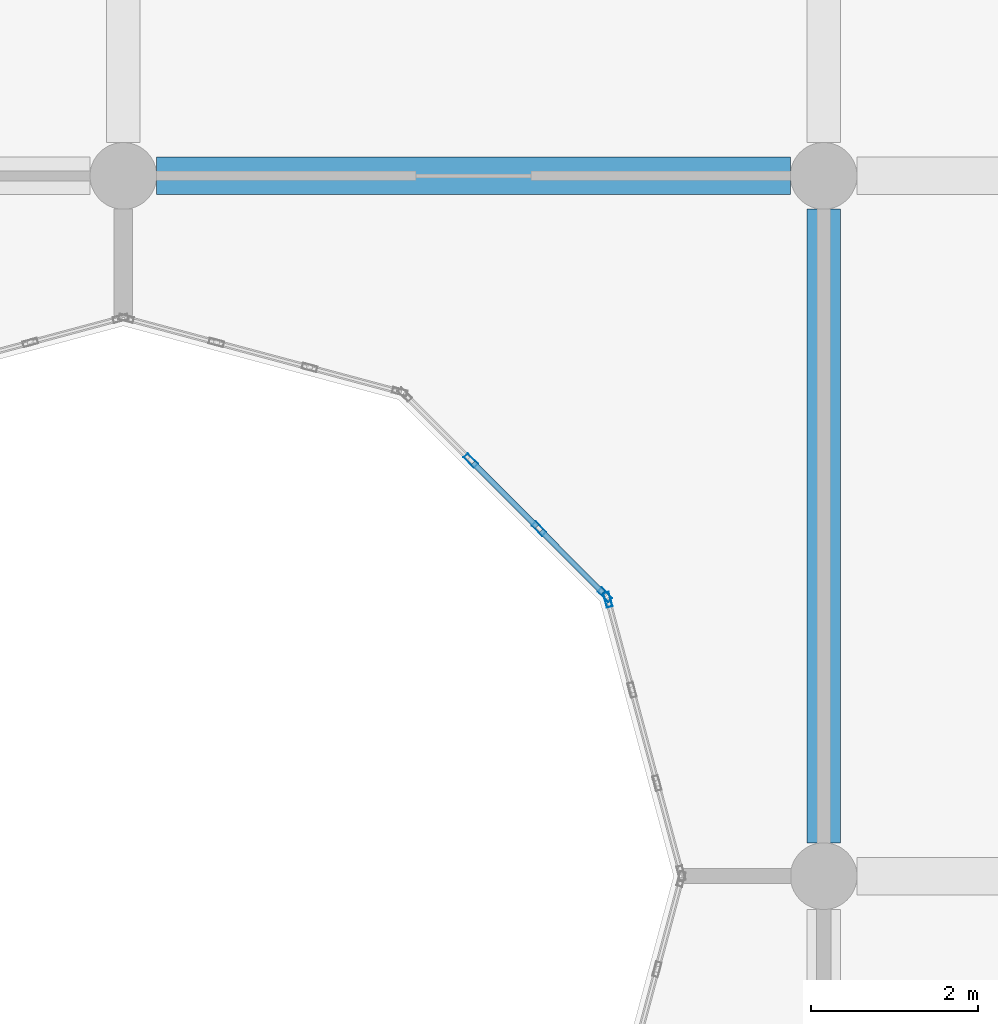
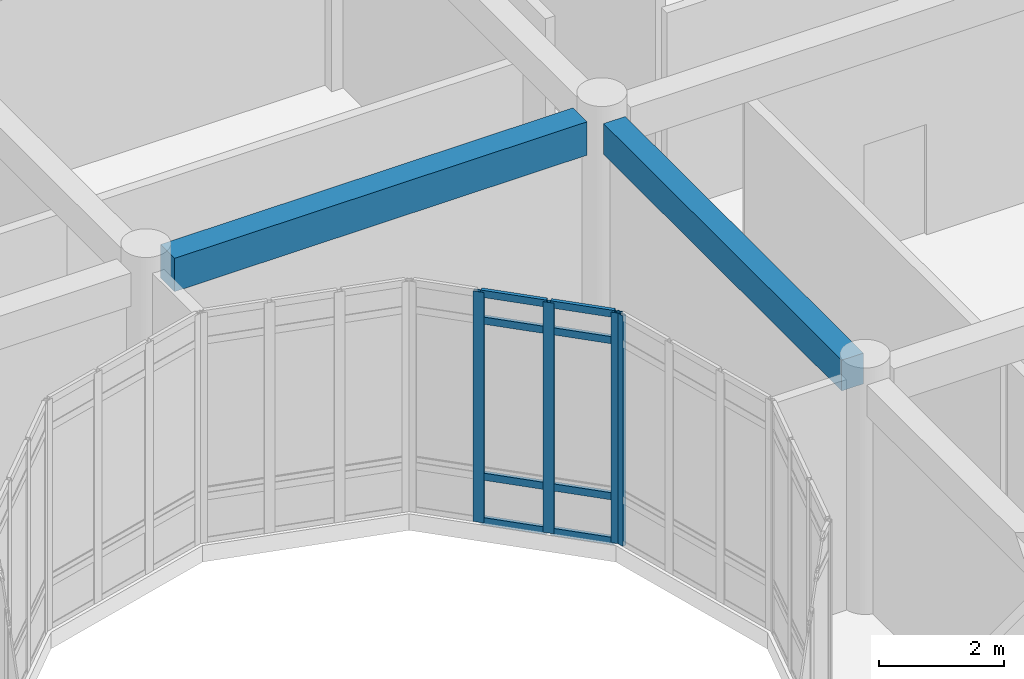
# One storey, part 29 of 138: 12 members, 2 beams, 2 elements without a shape of their own.
"""IFC4 building model written with IfcOpenShell, lengths in metres."""

from ifc_helpers import new_model, si_unit, direction, frame, origin, origin_2d, place, context, subcontext, project, spatial, rectangle, hollow_rectangle, extrude, material, layer, layer_set, material_profile, profile_set, type_object, element, aggregate, save


model = new_model("IFC4")

# Units and contexts
model_context = context("Model", 3, precision=1e-05, world=origin(), true_north=direction((0.0, 1.0)))
body_context = subcontext(model_context, "Body", "Model", "MODEL_VIEW")
ifc_project = project(units=[si_unit("LENGTHUNIT", "METRE"), si_unit("AREAUNIT", "SQUARE_METRE"), si_unit("VOLUMEUNIT", "CUBIC_METRE"), si_unit("PLANEANGLEUNIT", "RADIAN"), si_unit("MASSUNIT", "GRAM", prefix="KILO")], contexts=[model_context])

# Site, building, storey
site_placement = place(None, origin())
site = spatial("IfcSite", under=ifc_project, at=site_placement, CompositionType="ELEMENT")
building_placement = place(site_placement, origin())
building = spatial("IfcBuilding", under=site, at=building_placement, Name="Bramfleet General Hospital", CompositionType="ELEMENT")
storey_placement = place(building_placement, origin())
storey = spatial("IfcBuildingStorey", under=building, at=storey_placement, Name="L00", CompositionType="ELEMENT", Elevation=0.0)

# Beams
ifc_material_1 = material(Name="Concrete C35/45", Category="concrete")
ifc_material_profile_1 = material_profile(ifc_material_1, rectangle(XDim=0.39990234375, YDim=0.60009765625, at=origin_2d()), Name="RC BM 600x400")
ifc_profile_set_1 = profile_set([ifc_material_profile_1], Name="Concrete C35/45")
beam_type_1 = type_object("IfcBeamType", Name="BM-RC600", PredefinedType="BEAM", material=ifc_profile_set_1)
beam_1_placement = place(storey_placement, frame((33.60009765625, 84.39990234375, 4.199951171875), z_axis=(0.0, 1.0, 0.0), x_axis=(-1.0, 0.0, 0.0)))
element("IfcBeam", 1, at=beam_1_placement, inside=storey, type_object=beam_type_1, Name="L00 Grid Beam Y 04-10", PredefinedType="BEAM", context=body_context, shape_type="SweptSolid", body=[
    extrude(rectangle(XDim=0.39990234375, YDim=0.60009765625, at=origin_2d()), origin(), (0.0, 0.0, 1.0), 7.60009765625),
])
ifc_material_profile_2 = material_profile(ifc_material_1, rectangle(XDim=0.449951171875, YDim=0.64990234375, at=origin_2d()), Name="RC BM 650x450")
ifc_profile_set_2 = profile_set([ifc_material_profile_2], Name="Concrete C35/45")
beam_type_2 = type_object("IfcBeamType", Name="BM-RC650", PredefinedType="BEAM", material=ifc_profile_set_2)
beam_2_placement = place(storey_placement, frame((25.60009765625, 92.39990234375, 4.175048828125), z_axis=(1.0, 0.0, 0.0), x_axis=(0.0, 1.0, 0.0)))
element("IfcBeam", 2, at=beam_2_placement, inside=storey, type_object=beam_type_2, Name="L00 Grid Beam X 03-11", PredefinedType="BEAM", context=body_context, shape_type="SweptSolid", body=[
    extrude(rectangle(XDim=0.449951171875, YDim=0.64990234375, at=origin_2d()), origin(), (0.0, 0.0, 1.0), 7.599853515625),
])

# Curtain wall, member
ifc_material_2 = material(Name="Anodised aluminium and low-E triple glazing", Category="aluminium")
ifc_layer_1 = layer(ifc_material_2, 0.179931640625, Name="CWT-CW-11")
ifc_layer_set_1 = layer_set([ifc_layer_1], Name="Anodised aluminium and low-E triple glazing")
curtain_wall_type_1 = type_object("IfcCurtainWallType", Name="CWT-CW-11", PredefinedType="USERDEFINED", material=ifc_layer_set_1)
curtain_wall_1_placement = place(storey_placement, origin())
curtain_wall_1 = element("IfcCurtainWall", 3, at=curtain_wall_1_placement, inside=storey, type_object=curtain_wall_type_1, Name="L00 West Clinical Light Court Curtain Wall 7.1", ObjectType="Stick curtain wall", PredefinedType="USERDEFINED")
ifc_material_3 = material(Name="Anodised aluminium EN AW-6060", Category="aluminium")
ifc_material_profile_3 = material_profile(ifc_material_3, hollow_rectangle(XDim=0.070068359375, YDim=0.179931640625, WallThickness=0.00390625, at=origin_2d()), Name="ALU 180x70x4.0")
ifc_profile_set_3 = profile_set([ifc_material_profile_3], Name="Anodised aluminium EN AW-6060")
member_type_1 = type_object("IfcMemberType", Name="CWM-ALU180", PredefinedType="MULLION", material=ifc_profile_set_3)
member_1_placement = place(storey_placement, frame((31.010986328125, 87.316162109375, 0.0), z_axis=(0.0, 0.0, 1.0), x_axis=(-0.965899136003, -0.25891863407, 0.0)))
member_1 = element("IfcMember", 4, at=member_1_placement, type_object=member_type_1, Name="CW-11 mullion 4", PredefinedType="MULLION", context=body_context, shape_type="SweptSolid", body=[
    extrude(hollow_rectangle(XDim=0.070068359375, YDim=0.179931640625, WallThickness=0.00390625, at=origin_2d()), origin(), (0.0, 0.0, 1.0), 4.489990234375),
])
aggregate(curtain_wall_1, [member_1])

# Curtain wall, members
ifc_layer_2 = layer(ifc_material_2, 0.179931640625, Name="CWT-CW-12")
ifc_layer_set_2 = layer_set([ifc_layer_2], Name="Anodised aluminium and low-E triple glazing")
curtain_wall_type_2 = type_object("IfcCurtainWallType", Name="CWT-CW-12", PredefinedType="USERDEFINED", material=ifc_layer_set_2)
curtain_wall_2_placement = place(storey_placement, origin())
curtain_wall_2 = element("IfcCurtainWall", 5, at=curtain_wall_2_placement, inside=storey, type_object=curtain_wall_type_2, Name="L00 West Clinical Light Court Curtain Wall 8.1", ObjectType="Stick curtain wall", PredefinedType="USERDEFINED")
member_2_placement = place(storey_placement, frame((30.977294921875, 87.374755859375, 0.0), z_axis=(0.0, 0.0, 1.0), x_axis=(-0.707106781187, -0.707106781187, 0.0)))
member_2 = element("IfcMember", 6, at=member_2_placement, type_object=member_type_1, Name="CW-12 mullion 1", PredefinedType="MULLION", context=body_context, shape_type="SweptSolid", body=[
    extrude(hollow_rectangle(XDim=0.070068359375, YDim=0.179931640625, WallThickness=0.00390625, at=origin_2d()), origin(), (0.0, 0.0, 1.0), 4.489990234375),
])
member_3_placement = place(storey_placement, frame((30.1845703125, 88.167236328125, 0.0), z_axis=(0.0, 0.0, 1.0), x_axis=(-0.707106781187, -0.707106781187, 0.0)))
member_3 = element("IfcMember", 7, at=member_3_placement, type_object=member_type_1, Name="CW-12 mullion 2", PredefinedType="MULLION", context=body_context, shape_type="SweptSolid", body=[
    extrude(hollow_rectangle(XDim=0.070068359375, YDim=0.179931640625, WallThickness=0.00390625, at=origin_2d()), origin(), (0.0, 0.0, 1.0), 4.489990234375),
])
member_4_placement = place(storey_placement, frame((29.367431640625, 88.984619140625, 0.0), z_axis=(0.0, 0.0, 1.0), x_axis=(-0.707106781187, -0.707106781187, 0.0)))
member_4 = element("IfcMember", 8, at=member_4_placement, type_object=member_type_1, Name="CW-12 mullion 3", PredefinedType="MULLION", context=body_context, shape_type="SweptSolid", body=[
    extrude(hollow_rectangle(XDim=0.070068359375, YDim=0.179931640625, WallThickness=0.00390625, at=origin_2d()), origin(), (0.0, 0.0, 1.0), 4.489990234375),
])
ifc_material_profile_4 = material_profile(ifc_material_3, hollow_rectangle(XDim=0.06494140625, YDim=0.139892578125, WallThickness=0.00390625, at=origin_2d()), Name="ALU 140x65x4.0")
ifc_profile_set_4 = profile_set([ifc_material_profile_4], Name="Anodised aluminium EN AW-6060")
member_type_2 = type_object("IfcMemberType", Name="CWT-ALU140", PredefinedType="USERDEFINED", material=ifc_profile_set_4)
member_5_placement = place(storey_placement, frame((30.952392578125, 87.3994140625, 0.032470703125), z_axis=(-0.706990604933, 0.707222938356, 0.0), x_axis=(-0.707222938356, -0.706990604933, 0.0)))
member_5 = element("IfcMember", 9, at=member_5_placement, type_object=member_type_2, Name="CW-12 transom 1.1", ObjectType="TRANSOM", PredefinedType="USERDEFINED", context=body_context, shape_type="SweptSolid", body=[
    extrude(hollow_rectangle(XDim=0.06494140625, YDim=0.139892578125, WallThickness=0.00390625, at=origin_2d()), origin(), (0.0, 0.0, 1.0), 1.05078125),
])
member_6_placement = place(storey_placement, frame((30.952392578125, 87.3994140625, 0.89990234375), z_axis=(-0.706990604933, 0.707222938356, 0.0), x_axis=(-0.707222938356, -0.706990604933, 0.0)))
member_6 = element("IfcMember", 10, at=member_6_placement, type_object=member_type_2, Name="CW-12 transom 1.2", ObjectType="TRANSOM", PredefinedType="USERDEFINED", context=body_context, shape_type="SweptSolid", body=[
    extrude(hollow_rectangle(XDim=0.06494140625, YDim=0.139892578125, WallThickness=0.00390625, at=origin_2d()), origin(), (0.0, 0.0, 1.0), 1.05078125),
])
member_7_placement = place(storey_placement, frame((30.952392578125, 87.3994140625, 3.93994140625), z_axis=(-0.706990604933, 0.707222938356, 0.0), x_axis=(-0.707222938356, -0.706990604933, 0.0)))
member_7 = element("IfcMember", 11, at=member_7_placement, type_object=member_type_2, Name="CW-12 transom 1.3", ObjectType="TRANSOM", PredefinedType="USERDEFINED", context=body_context, shape_type="SweptSolid", body=[
    extrude(hollow_rectangle(XDim=0.06494140625, YDim=0.139892578125, WallThickness=0.00390625, at=origin_2d()), origin(), (0.0, 0.0, 1.0), 1.05078125),
])
member_8_placement = place(storey_placement, frame((30.952392578125, 87.3994140625, 4.45751953125), z_axis=(-0.706990604933, 0.707222938356, 0.0), x_axis=(-0.707222938356, -0.706990604933, 0.0)))
member_8 = element("IfcMember", 12, at=member_8_placement, type_object=member_type_2, Name="CW-12 transom 1.4", ObjectType="TRANSOM", PredefinedType="USERDEFINED", context=body_context, shape_type="SweptSolid", body=[
    extrude(hollow_rectangle(XDim=0.06494140625, YDim=0.139892578125, WallThickness=0.00390625, at=origin_2d()), origin(), (0.0, 0.0, 1.0), 1.05078125),
])
member_9_placement = place(storey_placement, frame((30.159912109375, 88.192138671875, 0.032470703125), z_axis=(-0.707106781187, 0.707106781187, 0.0), x_axis=(-0.707106781187, -0.707106781187, 0.0)))
member_9 = element("IfcMember", 13, at=member_9_placement, type_object=member_type_2, Name="CW-12 transom 2.1", ObjectType="TRANSOM", PredefinedType="USERDEFINED", context=body_context, shape_type="SweptSolid", body=[
    extrude(hollow_rectangle(XDim=0.06494140625, YDim=0.139892578125, WallThickness=0.00390625, at=origin_2d()), origin(), (0.0, 0.0, 1.0), 1.0859375),
])
member_10_placement = place(storey_placement, frame((30.159912109375, 88.192138671875, 0.89990234375), z_axis=(-0.707106781187, 0.707106781187, 0.0), x_axis=(-0.707106781187, -0.707106781187, 0.0)))
member_10 = element("IfcMember", 14, at=member_10_placement, type_object=member_type_2, Name="CW-12 transom 2.2", ObjectType="TRANSOM", PredefinedType="USERDEFINED", context=body_context, shape_type="SweptSolid", body=[
    extrude(hollow_rectangle(XDim=0.06494140625, YDim=0.139892578125, WallThickness=0.00390625, at=origin_2d()), origin(), (0.0, 0.0, 1.0), 1.0859375),
])
member_11_placement = place(storey_placement, frame((30.159912109375, 88.192138671875, 3.93994140625), z_axis=(-0.707106781187, 0.707106781187, 0.0), x_axis=(-0.707106781187, -0.707106781187, 0.0)))
member_11 = element("IfcMember", 15, at=member_11_placement, type_object=member_type_2, Name="CW-12 transom 2.3", ObjectType="TRANSOM", PredefinedType="USERDEFINED", context=body_context, shape_type="SweptSolid", body=[
    extrude(hollow_rectangle(XDim=0.06494140625, YDim=0.139892578125, WallThickness=0.00390625, at=origin_2d()), origin(), (0.0, 0.0, 1.0), 1.0859375),
])
member_12_placement = place(storey_placement, frame((30.159912109375, 88.192138671875, 4.45751953125), z_axis=(-0.707106781187, 0.707106781187, 0.0), x_axis=(-0.707106781187, -0.707106781187, 0.0)))
member_12 = element("IfcMember", 16, at=member_12_placement, type_object=member_type_2, Name="CW-12 transom 2.4", ObjectType="TRANSOM", PredefinedType="USERDEFINED", context=body_context, shape_type="SweptSolid", body=[
    extrude(hollow_rectangle(XDim=0.06494140625, YDim=0.139892578125, WallThickness=0.00390625, at=origin_2d()), origin(), (0.0, 0.0, 1.0), 1.0859375),
])
aggregate(curtain_wall_2, [member_2, member_3, member_4, member_5, member_6, member_7, member_8, member_9, member_10, member_11, member_12])

save(model, "model.ifc")
